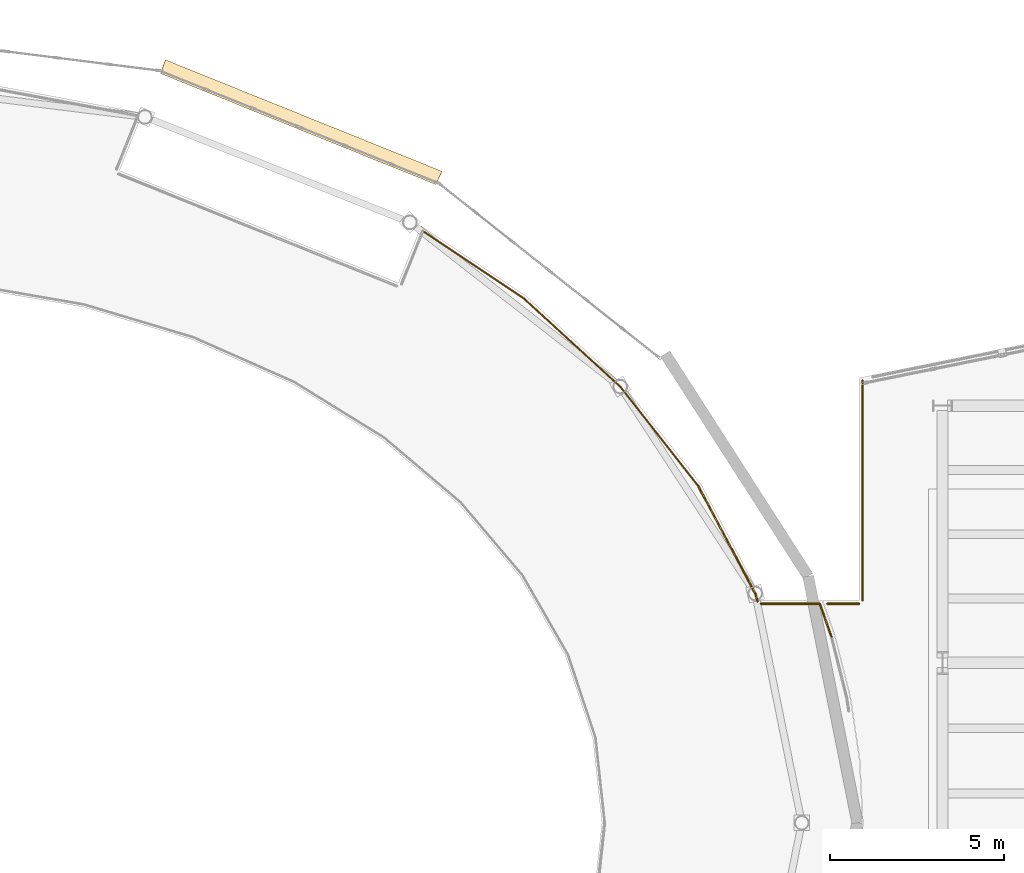
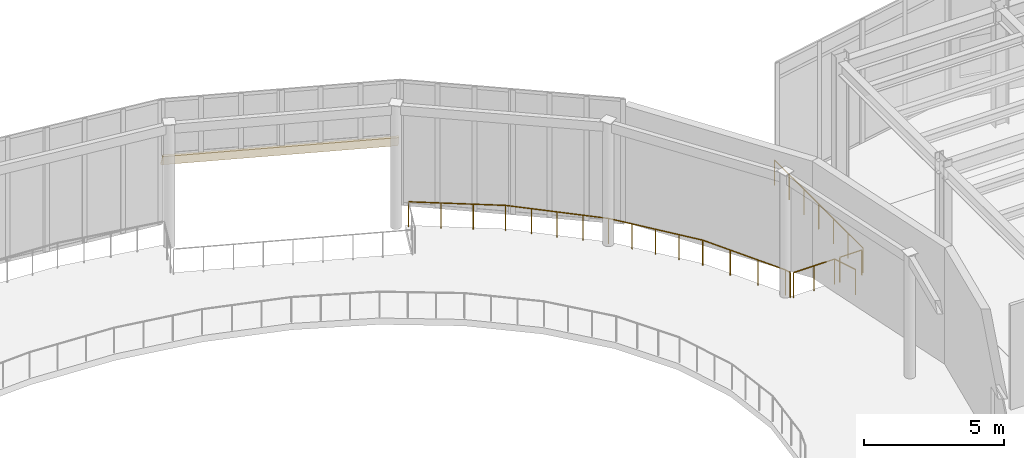
# One storey, part 94 of 98: 9 railings, 1 covering.
"""IFC4 building model written with IfcOpenShell, lengths in metres."""

from ifc_helpers import new_model, si_unit, direction, frame, origin, origin_2d, place, context, subcontext, project, spatial, polyline, circle, outline, extrude, material, layer, layer_set, type_object, element, save


model = new_model("IFC4")

# Units and contexts
model_context = context("Model", 3, precision=1e-05, world=origin(), true_north=direction((0.0, 1.0)))
body_context = subcontext(model_context, "Body", "Model", "MODEL_VIEW")
ifc_project = project(units=[si_unit("LENGTHUNIT", "METRE"), si_unit("AREAUNIT", "SQUARE_METRE"), si_unit("VOLUMEUNIT", "CUBIC_METRE"), si_unit("PLANEANGLEUNIT", "RADIAN"), si_unit("MASSUNIT", "GRAM", prefix="KILO")], contexts=[model_context])

# Site, building, storey
site_placement = place(None, origin())
site = spatial("IfcSite", under=ifc_project, at=site_placement, CompositionType="ELEMENT")
building_placement = place(site_placement, origin())
building = spatial("IfcBuilding", under=site, at=building_placement, Name="Sollismere Congress Hotel", CompositionType="ELEMENT")
storey_placement = place(building_placement, frame((0.0, 0.0, 5.39990234375)))
storey = spatial("IfcBuildingStorey", under=building, at=storey_placement, Name="L01", CompositionType="ELEMENT", Elevation=5.39990234375)

# Covering
ifc_material_1 = material(Name="Standing-Seam Titanium-Zinc Roof Assembly")
ifc_layer = layer(ifc_material_1, 0.054931640625, Name="Standing-Seam Titanium-Zinc Roof Assembly")
ifc_layer_set = layer_set([ifc_layer], Name="Standing-Seam Titanium-Zinc Roof Assembly")
covering_type = type_object("IfcCoveringType", Name="CV-RFZNC", PredefinedType="ROOFING", material=ifc_layer_set)
covering_placement = place(storey_placement, frame((45.975830078125, 109.07666015625, 2.35986328125), z_axis=(0.322999784853, 0.801076905692, 0.503931473667), x_axis=(-0.927447894001, 0.373952408616, 1.65073e-06)))
element("IfcCovering", 1, at=covering_placement, inside=storey, type_object=covering_type, Name="Congress portal hood 3", PredefinedType="ROOFING", context=body_context, shape_type="SweptSolid", body=[
    extrude(outline(polyline([(0.0, 0.0), (8.581298828125, 0.0), (8.561279296875, 0.694580078125), (0.02001953125, 0.694580078125), (0.0, 0.0)])), origin(), (0.0, 0.0, 1.0), 0.080078125),
])

# Railings
ifc_material_2 = material(Name="Bronze and Laminated Safety Glass", Category="glass")
railing_type_1 = type_object("IfcRailingType", Name="RL-BAL112I", PredefinedType="BALUSTRADE", material=ifc_material_2)
railing_1_placement = place(storey_placement, frame((45.449462890625, 107.423095703125, 0.0)))
element("IfcRailing", 2, at=railing_1_placement, inside=storey, type_object=railing_type_1, Name="RLG-GDA-L01-050", PredefinedType="BALUSTRADE", context=body_context, shape_type="SweptSolid", body=[
    extrude(circle(Radius=0.02392578125, at=origin_2d()), frame((0.0, 0.0, 1.09619140625), z_axis=(0.831769965824, -0.555120458957, 0.0), x_axis=(0.555120458957, 0.831769965824, 0.0)), (0.0, 0.0, 1.0), 3.48486328125),
    extrude(circle(Radius=0.02099609375, at=origin_2d()), origin(), (0.0, 0.0, 1.0), 1.072021484375),
    extrude(circle(Radius=0.02099609375, at=origin_2d()), frame((0.96630859375, -0.644775390625, 0.0)), (0.0, 0.0, 1.0), 1.072021484375),
    extrude(circle(Radius=0.02099609375, at=origin_2d()), frame((1.932373046875, -1.289794921875, 0.0)), (0.0, 0.0, 1.0), 1.072021484375),
    extrude(circle(Radius=0.02099609375, at=origin_2d()), frame((2.898681640625, -1.9345703125, 0.0)), (0.0, 0.0, 1.0), 1.072021484375),
])
railing_2_placement = place(storey_placement, frame((48.34814453125, 105.488525390625, 0.0)))
element("IfcRailing", 3, at=railing_2_placement, inside=storey, type_object=railing_type_1, Name="RLG-GDA-L01-051", PredefinedType="BALUSTRADE", context=body_context, shape_type="SweptSolid", body=[
    extrude(circle(Radius=0.02392578125, at=origin_2d()), frame((0.0, 0.0, 1.09619140625), z_axis=(0.737771153047, -0.67505090603, 0.0), x_axis=(0.67505090603, 0.737771153047, 0.0)), (0.0, 0.0, 1.0), 3.77587890625),
    extrude(circle(Radius=0.02099609375, at=origin_2d()), origin(), (0.0, 0.0, 1.0), 1.072021484375),
    extrude(circle(Radius=0.02099609375, at=origin_2d()), frame((0.6962890625, -0.63720703125, 0.0)), (0.0, 0.0, 1.0), 1.072021484375),
    extrude(circle(Radius=0.02099609375, at=origin_2d()), frame((1.392822265625, -1.2744140625, 0.0)), (0.0, 0.0, 1.0), 1.072021484375),
    extrude(circle(Radius=0.02099609375, at=origin_2d()), frame((2.08935546875, -1.91162109375, 0.0)), (0.0, 0.0, 1.0), 1.072021484375),
    extrude(circle(Radius=0.02099609375, at=origin_2d()), frame((2.78564453125, -2.548828125, 0.0)), (0.0, 0.0, 1.0), 1.072021484375),
])
railing_3_placement = place(storey_placement, frame((51.1337890625, 102.939697265625, 0.0)))
element("IfcRailing", 4, at=railing_3_placement, inside=storey, type_object=railing_type_1, Name="RLG-GDA-L01-052", PredefinedType="BALUSTRADE", context=body_context, shape_type="SweptSolid", body=[
    extrude(circle(Radius=0.02392578125, at=origin_2d()), frame((0.0, 0.0, 1.09619140625), z_axis=(0.617111356039, -0.786875831531, 0.0), x_axis=(0.786875831531, 0.617111356039, 0.0)), (0.0, 0.0, 1.0), 3.6298828125),
    extrude(circle(Radius=0.02099609375, at=origin_2d()), origin(), (0.0, 0.0, 1.0), 1.072021484375),
    extrude(circle(Radius=0.02099609375, at=origin_2d()), frame((0.56005859375, -0.714111328125, 0.0)), (0.0, 0.0, 1.0), 1.072021484375),
    extrude(circle(Radius=0.02099609375, at=origin_2d()), frame((1.1201171875, -1.42822265625, 0.0)), (0.0, 0.0, 1.0), 1.072021484375),
    extrude(circle(Radius=0.02099609375, at=origin_2d()), frame((1.679931640625, -2.14208984375, 0.0)), (0.0, 0.0, 1.0), 1.072021484375),
    extrude(circle(Radius=0.02099609375, at=origin_2d()), frame((2.239990234375, -2.856201171875, 0.0)), (0.0, 0.0, 1.0), 1.072021484375),
])
railing_4_placement = place(storey_placement, frame((53.373779296875, 100.08349609375, 0.0)))
element("IfcRailing", 5, at=railing_4_placement, inside=storey, type_object=railing_type_1, Name="RLG-GDA-L01-053", PredefinedType="BALUSTRADE", context=body_context, shape_type="SweptSolid", body=[
    extrude(circle(Radius=0.02392578125, at=origin_2d()), frame((0.0, 0.0, 1.09619140625), z_axis=(0.468368214462, -0.883533369874, 0.0), x_axis=(0.883533369874, 0.468368214462, 0.0)), (0.0, 0.0, 1.0), 3.501220703125),
    extrude(circle(Radius=0.02099609375, at=origin_2d()), origin(), (0.0, 0.0, 1.0), 1.072021484375),
    extrude(circle(Radius=0.02099609375, at=origin_2d()), frame((0.546630859375, -1.03125, 0.0)), (0.0, 0.0, 1.0), 1.072021484375),
    extrude(circle(Radius=0.02099609375, at=origin_2d()), frame((1.09326171875, -2.062255859375, 0.0)), (0.0, 0.0, 1.0), 1.072021484375),
    extrude(circle(Radius=0.02099609375, at=origin_2d()), frame((1.639892578125, -3.093505859375, 0.0)), (0.0, 0.0, 1.0), 1.072021484375),
])
railing_5_placement = place(storey_placement, frame((55.013671875, 96.989990234375, 0.0)))
element("IfcRailing", 6, at=railing_5_placement, inside=storey, type_object=railing_type_1, Name="RLG-GDA-L01-054", PredefinedType="BALUSTRADE", context=body_context, shape_type="SweptSolid", body=[
    extrude(circle(Radius=0.02392578125, at=origin_2d()), frame((0.0, 0.0, 1.09619140625), z_axis=(0.293488009239, -0.955962754731, 0.0), x_axis=(0.955962754731, 0.293488009239, 0.0)), (0.0, 0.0, 1.0), 0.2294921875),
    extrude(circle(Radius=0.02099609375, at=origin_2d()), origin(), (0.0, 0.0, 1.0), 1.072021484375),
    extrude(circle(Radius=0.02099609375, at=origin_2d()), frame((0.0673828125, -0.219482421875, 0.0)), (0.0, 0.0, 1.0), 1.072021484375),
])
railing_6_placement = place(storey_placement, frame((55.1767578125, 96.699951171875, 0.0)))
element("IfcRailing", 7, at=railing_6_placement, inside=storey, type_object=railing_type_1, Name="RLG-GDA-L01-055", PredefinedType="BALUSTRADE", context=body_context, shape_type="SweptSolid", body=[
    extrude(circle(Radius=0.02392578125, at=origin_2d()), frame((0.0, 0.0, 1.09619140625), z_axis=(1.0, 0.0, 0.0), x_axis=(0.0, 1.0, 0.0)), (0.0, 0.0, 1.0), 1.690673828125),
    extrude(circle(Radius=0.02099609375, at=origin_2d()), origin(), (0.0, 0.0, 1.0), 1.072021484375),
    extrude(circle(Radius=0.02099609375, at=origin_2d()), frame((0.84521484375, 0.0, 0.0)), (0.0, 0.0, 1.0), 1.072021484375),
    extrude(circle(Radius=0.02099609375, at=origin_2d()), frame((1.690673828125, 0.0, 0.0)), (0.0, 0.0, 1.0), 1.072021484375),
])
railing_7_placement = place(storey_placement, frame((56.867431640625, 96.699951171875, 0.0)))
element("IfcRailing", 8, at=railing_7_placement, inside=storey, type_object=railing_type_1, Name="RLG-GDA-L01-056", PredefinedType="BALUSTRADE", context=body_context, shape_type="SweptSolid", body=[
    extrude(circle(Radius=0.02392578125, at=origin_2d()), frame((0.0, 0.0, 1.09619140625), z_axis=(0.334888484703, -0.942257768773, 0.0), x_axis=(0.942257768773, 0.334888484703, 0.0)), (0.0, 0.0, 1.0), 0.99365234375),
    extrude(circle(Radius=0.02099609375, at=origin_2d()), origin(), (0.0, 0.0, 1.0), 1.072021484375),
    extrude(circle(Radius=0.02099609375, at=origin_2d()), frame((0.332763671875, -0.936279296875, 0.0)), (0.0, 0.0, 1.0), 1.072021484375),
])
ifc_material_3 = material(Name="Steel ASTM A500 Grade C", Category="steel")
railing_type_2 = type_object("IfcRailingType", Name="RL-GRD112", PredefinedType="GUARDRAIL", material=ifc_material_3)
railing_8_placement = place(storey_placement, frame((57.09033203125, 96.699951171875, 0.0)))
element("IfcRailing", 9, at=railing_8_placement, inside=storey, type_object=railing_type_2, Name="RLG-GDA-L01-059", PredefinedType="GUARDRAIL", context=body_context, shape_type="SweptSolid", body=[
    extrude(circle(Radius=0.02392578125, at=origin_2d()), frame((0.0, 0.0, 1.09619140625), z_axis=(1.0, 0.0, 0.0), x_axis=(0.0, 1.0, 0.0)), (0.0, 0.0, 1.0), 0.90966796875),
    extrude(circle(Radius=0.02099609375, at=origin_2d()), origin(), (0.0, 0.0, 1.0), 1.072021484375),
    extrude(circle(Radius=0.02099609375, at=origin_2d()), frame((0.90966796875, 0.0, 0.0)), (0.0, 0.0, 1.0), 1.072021484375),
])
railing_9_placement = place(storey_placement, frame((58.10009765625, 96.800048828125, 0.0)))
element("IfcRailing", 10, at=railing_9_placement, inside=storey, type_object=railing_type_2, Name="RLG-GDA-L01-060", PredefinedType="GUARDRAIL", context=body_context, shape_type="SweptSolid", body=[
    extrude(circle(Radius=0.02392578125, at=origin_2d()), frame((0.0, 0.0, 1.09619140625), z_axis=(0.0, 1.0, 0.0), x_axis=(-1.0, 0.0, 0.0)), (0.0, 0.0, 1.0), 6.318359375),
    extrude(circle(Radius=0.02099609375, at=origin_2d()), origin(), (0.0, 0.0, 1.0), 1.072021484375),
    extrude(circle(Radius=0.02099609375, at=origin_2d()), frame((0.0, 1.052978515625, 0.0)), (0.0, 0.0, 1.0), 1.072021484375),
    extrude(circle(Radius=0.02099609375, at=origin_2d()), frame((0.0, 2.106201171875, 0.0)), (0.0, 0.0, 1.0), 1.072021484375),
    extrude(circle(Radius=0.02099609375, at=origin_2d()), frame((0.0, 3.1591796875, 0.0)), (0.0, 0.0, 1.0), 1.072021484375),
    extrude(circle(Radius=0.02099609375, at=origin_2d()), frame((0.0, 4.212158203125, 0.0)), (0.0, 0.0, 1.0), 1.072021484375),
    extrude(circle(Radius=0.02099609375, at=origin_2d()), frame((0.0, 5.265380859375, 0.0)), (0.0, 0.0, 1.0), 1.072021484375),
    extrude(circle(Radius=0.02099609375, at=origin_2d()), frame((0.0, 6.318359375, 0.0)), (0.0, 0.0, 1.0), 1.072021484375),
])

save(model, "model.ifc")
